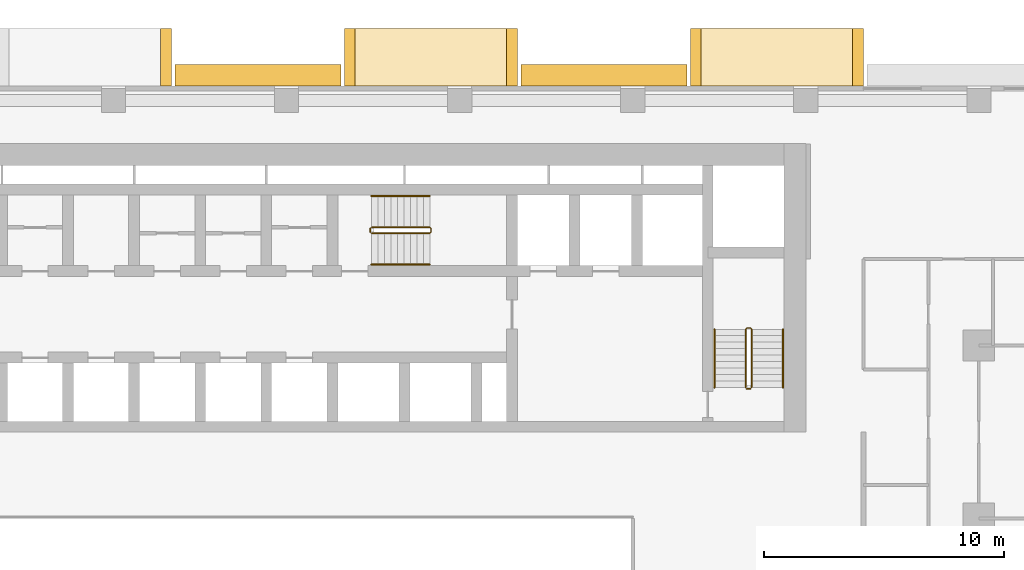
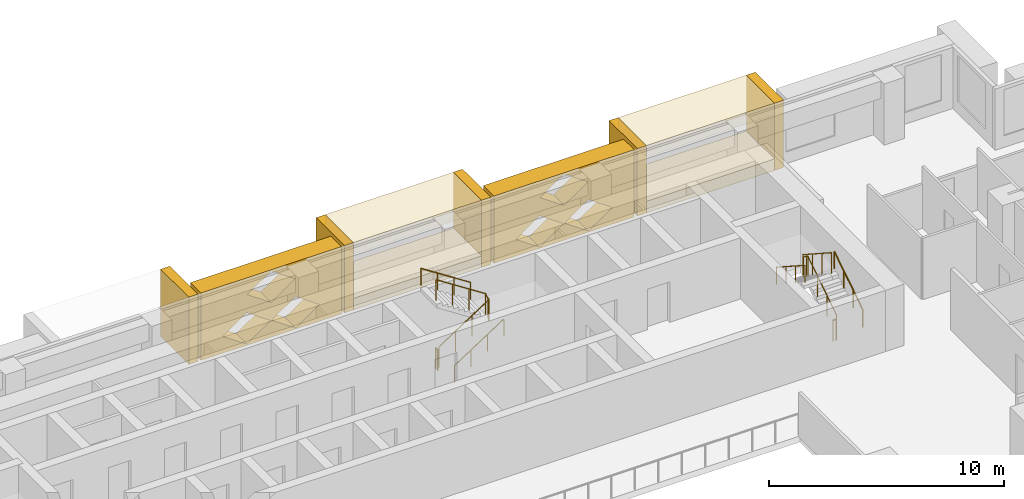
# One storey, part 16 of 17: 11 coverings, 8 railings.
"""IFC4 building model written with IfcOpenShell, lengths in metres."""

from ifc_helpers import new_model, si_unit, direction, frame, origin, origin_2d, place, context, subcontext, project, spatial, polyline, circle, outline, extrude, material, type_object, element, save


model = new_model("IFC4")

# Units and contexts
model_context = context("Model", 3, precision=1e-05, world=origin(), true_north=direction((0.0, 1.0)))
body_context = subcontext(model_context, "Body", "Model", "MODEL_VIEW")
ifc_project = project(units=[si_unit("LENGTHUNIT", "METRE"), si_unit("AREAUNIT", "SQUARE_METRE"), si_unit("VOLUMEUNIT", "CUBIC_METRE"), si_unit("PLANEANGLEUNIT", "RADIAN"), si_unit("MASSUNIT", "GRAM", prefix="KILO")], contexts=[model_context])

# Site, building, storey
site_placement = place(None, origin())
site = spatial("IfcSite", under=ifc_project, at=site_placement, CompositionType="ELEMENT")
building_placement = place(site_placement, origin())
building = spatial("IfcBuilding", under=site, at=building_placement, Name="Saffron Iwan Residences", CompositionType="ELEMENT")
storey_placement = place(building_placement, frame((0.0, 0.0, 86.5)))
storey = spatial("IfcBuildingStorey", under=building, at=storey_placement, Name="L22", CompositionType="ELEMENT", Elevation=86.5)

# Coverings
ifc_material_1 = material(Name="Precast concrete C40/50", Category="concrete")
covering_type_1 = type_object("IfcCoveringType", Name="OUTER SKIN LATTICE SCREEN", PredefinedType="CLADDING", material=ifc_material_1)
for number, where, z_axis, x_axis, name in (
    (1, (67.050048828125, 80.39990234375, -0.320068359375), (0.0, 1.0, 0.0), (-1.0, 0.0, 0.0), "OUTER SKIN lattice screen L22 F5.1"),
    (2, (52.64990234375, 80.39990234375, -0.320068359375), (0.0, 1.0, 0.0), (-1.0, 0.0, 0.0), "OUTER SKIN lattice screen L22 F5.2"),
):
    element("IfcCovering", number, at=place(storey_placement, frame(where, z_axis=z_axis, x_axis=x_axis)), inside=storey, type_object=covering_type_1, Name=name, PredefinedType="CLADDING", context=body_context, shape_type="SweptSolid", body=[
        extrude(outline(polyline([(0.0, 0.0), (6.89990234375, 0.0), (6.89990234375, 3.5), (0.0, 3.5), (0.0, 0.0)]), holes=[polyline([(1.070068359375, 0.875), (2.25, 0.06005859375), (3.429931640625, 0.875), (2.25, 1.68994140625), (1.070068359375, 0.875)]), polyline([(3.469970703125, 0.875), (4.64990234375, 0.06005859375), (5.830078125, 0.875), (4.64990234375, 1.68994140625), (3.469970703125, 0.875)]), polyline([(2.27001953125, 2.625), (3.449951171875, 1.81005859375), (4.6298828125, 2.625), (3.449951171875, 3.43994140625), (2.27001953125, 2.625)])]), origin(), (0.0, 0.0, 1.0), 0.900146484375),
    ])

# Railings
ifc_material_2 = material(Name="Steel S355", Category="steel")
railing_type_1 = type_object("IfcRailingType", Name="Stair guard 1100", PredefinedType="GUARDRAIL", material=ifc_material_2)
railing_1_placement = place(storey_placement, frame((53.925048828125, 74.27490234375, 0.175048828125)))
element("IfcRailing", 3, at=railing_1_placement, inside=storey, type_object=railing_type_1, Name="L22 ST-C stair guard 1", PredefinedType="GUARDRAIL", context=body_context, shape_type="SweptSolid", body=[
    extrude(circle(Radius=0.02392578125, at=origin_2d()), frame((0.0, 0.0, 1.076171875), z_axis=(0.839153699163, 0.0, 0.543894354798), x_axis=(0.0, 1.0, 0.0)), (0.0, 0.0, 1.0), 2.895751953125),
    extrude(circle(Radius=0.02392578125, at=origin_2d()), frame((2.429931640625, 0.0, 2.65087890625), z_axis=(0.707106781187, 0.707106781187, 0.0), x_axis=(-0.707106781187, 0.707106781187, 0.0)), (0.0, 0.0, 1.0), 0.07080078125),
    extrude(circle(Radius=0.02392578125, at=origin_2d()), frame((2.47998046875, 0.050048828125, 2.65087890625), z_axis=(0.0, 1.0, 0.0), x_axis=(-1.0, 0.0, 0.0)), (0.0, 0.0, 1.0), 0.150146484375),
    extrude(circle(Radius=0.02392578125, at=origin_2d()), frame((2.47998046875, 0.2001953125, 2.65087890625), z_axis=(-0.265155923931, 0.263862480399, 0.927399011991), x_axis=(-0.705375805398, -0.708833529934, 0.0)), (0.0, 0.0, 1.0), 0.188720703125),
    extrude(circle(Radius=0.02392578125, at=origin_2d()), frame((2.429931640625, 0.25, 2.826171875), z_axis=(-0.839153699163, 0.0, 0.543894354798), x_axis=(0.0, -1.0, 0.0)), (0.0, 0.0, 1.0), 2.895751953125),
    extrude(circle(Radius=0.02099609375, at=origin_2d()), origin(), (0.0, 0.0, 1.0), 1.052001953125),
    extrude(circle(Radius=0.02099609375, at=origin_2d()), frame((0.81005859375, 0.0, 0.52490234375)), (0.0, 0.0, 1.0), 1.052001953125),
    extrude(circle(Radius=0.02099609375, at=origin_2d()), frame((1.619873046875, 0.0, 1.050048828125)), (0.0, 0.0, 1.0), 1.052001953125),
    extrude(circle(Radius=0.02099609375, at=origin_2d()), frame((2.429931640625, 0.0, 1.574951171875)), (0.0, 0.0, 1.0), 1.052001953125),
    extrude(circle(Radius=0.02099609375, at=origin_2d()), frame((2.47998046875, 0.050048828125, 1.574951171875)), (0.0, 0.0, 1.0), 1.052001953125),
    extrude(circle(Radius=0.02099609375, at=origin_2d()), frame((2.47998046875, 0.2001953125, 1.574951171875)), (0.0, 0.0, 1.0), 1.052001953125),
    extrude(circle(Radius=0.02099609375, at=origin_2d()), frame((2.429931640625, 0.25, 1.75)), (0.0, 0.0, 1.0), 1.052001953125),
    extrude(circle(Radius=0.02099609375, at=origin_2d()), frame((1.619873046875, 0.25, 2.27490234375)), (0.0, 0.0, 1.0), 1.052001953125),
    extrude(circle(Radius=0.02099609375, at=origin_2d()), frame((0.81005859375, 0.25, 2.800048828125)), (0.0, 0.0, 1.0), 1.052001953125),
    extrude(circle(Radius=0.02099609375, at=origin_2d()), frame((0.0, 0.25, 3.324951171875)), (0.0, 0.0, 1.0), 1.052001953125),
])
railing_2_placement = place(storey_placement, frame((53.875, 74.324951171875, 0.0)))
element("IfcRailing", 4, at=railing_2_placement, inside=storey, type_object=railing_type_1, Name="L22 ST-C stair guard 2", PredefinedType="GUARDRAIL", context=body_context, shape_type="SweptSolid", body=[
    extrude(circle(Radius=0.02392578125, at=origin_2d()), frame((0.0, 0.0, 1.076171875), z_axis=(0.0, 1.0, 0.0), x_axis=(-1.0, 0.0, 0.0)), (0.0, 0.0, 1.0), 0.150146484375),
    extrude(circle(Radius=0.02099609375, at=origin_2d()), origin(), (0.0, 0.0, 1.0), 1.052001953125),
    extrude(circle(Radius=0.02099609375, at=origin_2d()), frame((0.0, 0.150146484375, 0.0)), (0.0, 0.0, 1.0), 1.052001953125),
])
railing_3_placement = place(storey_placement, frame((69.75, 67.85009765625, 0.175048828125)))
element("IfcRailing", 5, at=railing_3_placement, inside=storey, type_object=railing_type_1, Name="L22 ST-E stair guard 1", PredefinedType="GUARDRAIL", context=body_context, shape_type="SweptSolid", body=[
    extrude(circle(Radius=0.02392578125, at=origin_2d()), frame((0.0, 0.0, 1.076171875), z_axis=(0.0, 0.839153699163, 0.543894354798), x_axis=(-1.0, 0.0, 0.0)), (0.0, 0.0, 1.0), 2.895751953125),
    extrude(circle(Radius=0.02392578125, at=origin_2d()), frame((0.0, 2.429931640625, 2.65087890625), z_axis=(-0.707106781187, 0.707106781187, 0.0), x_axis=(-0.707106781187, -0.707106781187, 0.0)), (0.0, 0.0, 1.0), 0.07080078125),
    extrude(circle(Radius=0.02392578125, at=origin_2d()), frame((-0.050048828125, 2.47998046875, 2.65087890625), z_axis=(-1.0, 0.0, 0.0), x_axis=(0.0, -1.0, 0.0)), (0.0, 0.0, 1.0), 0.14990234375),
    extrude(circle(Radius=0.02392578125, at=origin_2d()), frame((-0.199951171875, 2.47998046875, 2.65087890625), z_axis=(-0.265065253269, -0.265065253269, 0.927081885822), x_axis=(0.707106781187, -0.707106781187, 0.0)), (0.0, 0.0, 1.0), 0.188720703125),
    extrude(circle(Radius=0.02392578125, at=origin_2d()), frame((-0.25, 2.429931640625, 2.826171875), z_axis=(0.0, -0.839153699163, 0.543894354798), x_axis=(1.0, 0.0, 0.0)), (0.0, 0.0, 1.0), 2.895751953125),
    extrude(circle(Radius=0.02099609375, at=origin_2d()), origin(), (0.0, 0.0, 1.0), 1.052001953125),
    extrude(circle(Radius=0.02099609375, at=origin_2d()), frame((0.0, 0.81005859375, 0.52490234375)), (0.0, 0.0, 1.0), 1.052001953125),
    extrude(circle(Radius=0.02099609375, at=origin_2d()), frame((0.0, 1.619873046875, 1.050048828125)), (0.0, 0.0, 1.0), 1.052001953125),
    extrude(circle(Radius=0.02099609375, at=origin_2d()), frame((0.0, 2.429931640625, 1.574951171875)), (0.0, 0.0, 1.0), 1.052001953125),
    extrude(circle(Radius=0.02099609375, at=origin_2d()), frame((-0.050048828125, 2.47998046875, 1.574951171875)), (0.0, 0.0, 1.0), 1.052001953125),
    extrude(circle(Radius=0.02099609375, at=origin_2d()), frame((-0.199951171875, 2.47998046875, 1.574951171875)), (0.0, 0.0, 1.0), 1.052001953125),
    extrude(circle(Radius=0.02099609375, at=origin_2d()), frame((-0.25, 2.429931640625, 1.75)), (0.0, 0.0, 1.0), 1.052001953125),
    extrude(circle(Radius=0.02099609375, at=origin_2d()), frame((-0.25, 1.619873046875, 2.27490234375)), (0.0, 0.0, 1.0), 1.052001953125),
    extrude(circle(Radius=0.02099609375, at=origin_2d()), frame((-0.25, 0.81005859375, 2.800048828125)), (0.0, 0.0, 1.0), 1.052001953125),
    extrude(circle(Radius=0.02099609375, at=origin_2d()), frame((-0.25, 0.0, 3.324951171875)), (0.0, 0.0, 1.0), 1.052001953125),
])
railing_4_placement = place(storey_placement, frame((69.699951171875, 67.800048828125, 0.0)))
element("IfcRailing", 6, at=railing_4_placement, inside=storey, type_object=railing_type_1, Name="L22 ST-E stair guard 2", PredefinedType="GUARDRAIL", context=body_context, shape_type="SweptSolid", body=[
    extrude(circle(Radius=0.02392578125, at=origin_2d()), frame((0.0, 0.0, 1.076171875), z_axis=(-1.0, 0.0, 0.0), x_axis=(0.0, -1.0, 0.0)), (0.0, 0.0, 1.0), 0.14990234375),
    extrude(circle(Radius=0.02099609375, at=origin_2d()), origin(), (0.0, 0.0, 1.0), 1.052001953125),
    extrude(circle(Radius=0.02099609375, at=origin_2d()), frame((-0.14990234375, 0.0, 0.0)), (0.0, 0.0, 1.0), 1.052001953125),
])
ifc_material_3 = material(Name="Stainless steel 316", Category="steel")
railing_type_2 = type_object("IfcRailingType", Name="Stair handrail 900", PredefinedType="HANDRAIL", material=ifc_material_3)
railing_5_placement = place(storey_placement, frame((53.925048828125, 72.97509765625, 0.175048828125)))
element("IfcRailing", 7, at=railing_5_placement, inside=storey, type_object=railing_type_2, Name="L22 ST-C stair handrail 1", PredefinedType="HANDRAIL", context=body_context, shape_type="SweptSolid", body=[
    extrude(circle(Radius=0.02392578125, at=origin_2d()), frame((0.0, 0.0, 0.8759765625), z_axis=(0.839153699163, 0.0, 0.543894354798), x_axis=(0.0, 1.0, 0.0)), (0.0, 0.0, 1.0), 2.895751953125),
    extrude(circle(Radius=0.02099609375, at=origin_2d()), origin(), (0.0, 0.0, 1.0), 0.851806640625),
    extrude(circle(Radius=0.02099609375, at=origin_2d()), frame((0.81005859375, 0.0, 0.52490234375)), (0.0, 0.0, 1.0), 0.851806640625),
    extrude(circle(Radius=0.02099609375, at=origin_2d()), frame((1.619873046875, 0.0, 1.050048828125)), (0.0, 0.0, 1.0), 0.851806640625),
    extrude(circle(Radius=0.02099609375, at=origin_2d()), frame((2.429931640625, 0.0, 1.574951171875)), (0.0, 0.0, 1.0), 0.851806640625),
])
railing_6_placement = place(storey_placement, frame((56.35498046875, 75.824951171875, 1.925048828125)))
element("IfcRailing", 8, at=railing_6_placement, inside=storey, type_object=railing_type_2, Name="L22 ST-C stair handrail 2", PredefinedType="HANDRAIL", context=body_context, shape_type="SweptSolid", body=[
    extrude(circle(Radius=0.02392578125, at=origin_2d()), frame((0.0, 0.0, 0.8759765625), z_axis=(-0.839153699163, 0.0, 0.543894354798), x_axis=(0.0, -1.0, 0.0)), (0.0, 0.0, 1.0), 2.895751953125),
    extrude(circle(Radius=0.02099609375, at=origin_2d()), origin(), (0.0, 0.0, 1.0), 0.851806640625),
    extrude(circle(Radius=0.02099609375, at=origin_2d()), frame((-0.81005859375, 0.0, 0.52490234375)), (0.0, 0.0, 1.0), 0.851806640625),
    extrude(circle(Radius=0.02099609375, at=origin_2d()), frame((-1.619873046875, 0.0, 1.050048828125)), (0.0, 0.0, 1.0), 0.851806640625),
    extrude(circle(Radius=0.02099609375, at=origin_2d()), frame((-2.429931640625, 0.0, 1.574951171875)), (0.0, 0.0, 1.0), 0.851806640625),
])
railing_7_placement = place(storey_placement, frame((71.050048828125, 67.85009765625, 0.175048828125)))
element("IfcRailing", 9, at=railing_7_placement, inside=storey, type_object=railing_type_2, Name="L22 ST-E stair handrail 1", PredefinedType="HANDRAIL", context=body_context, shape_type="SweptSolid", body=[
    extrude(circle(Radius=0.02392578125, at=origin_2d()), frame((0.0, 0.0, 0.8759765625), z_axis=(0.0, 0.839153699163, 0.543894354798), x_axis=(-1.0, 0.0, 0.0)), (0.0, 0.0, 1.0), 2.895751953125),
    extrude(circle(Radius=0.02099609375, at=origin_2d()), origin(), (0.0, 0.0, 1.0), 0.851806640625),
    extrude(circle(Radius=0.02099609375, at=origin_2d()), frame((0.0, 0.81005859375, 0.52490234375)), (0.0, 0.0, 1.0), 0.851806640625),
    extrude(circle(Radius=0.02099609375, at=origin_2d()), frame((0.0, 1.619873046875, 1.050048828125)), (0.0, 0.0, 1.0), 0.851806640625),
    extrude(circle(Radius=0.02099609375, at=origin_2d()), frame((0.0, 2.429931640625, 1.574951171875)), (0.0, 0.0, 1.0), 0.851806640625),
])
railing_8_placement = place(storey_placement, frame((68.199951171875, 70.280029296875, 1.925048828125)))
element("IfcRailing", 10, at=railing_8_placement, inside=storey, type_object=railing_type_2, Name="L22 ST-E stair handrail 2", PredefinedType="HANDRAIL", context=body_context, shape_type="SweptSolid", body=[
    extrude(circle(Radius=0.02392578125, at=origin_2d()), frame((0.0, 0.0, 0.8759765625), z_axis=(0.0, -0.839153699163, 0.543894354798), x_axis=(1.0, 0.0, 0.0)), (0.0, 0.0, 1.0), 2.895751953125),
    extrude(circle(Radius=0.02099609375, at=origin_2d()), origin(), (0.0, 0.0, 1.0), 0.851806640625),
    extrude(circle(Radius=0.02099609375, at=origin_2d()), frame((0.0, -0.81005859375, 0.52490234375)), (0.0, 0.0, 1.0), 0.851806640625),
    extrude(circle(Radius=0.02099609375, at=origin_2d()), frame((0.0, -1.619873046875, 1.050048828125)), (0.0, 0.0, 1.0), 0.851806640625),
    extrude(circle(Radius=0.02099609375, at=origin_2d()), frame((0.0, -2.429931640625, 1.574951171875)), (0.0, 0.0, 1.0), 0.851806640625),
])

# Coverings
ifc_material_4 = material(Name="Precast concrete C40/50 white painted", Category="concrete")
covering_type_2 = type_object("IfcCoveringType", Name="WHITE SUN FRAME PRECAST", PredefinedType="CLADDING", material=ifc_material_4)
for number, where, z_axis, x_axis, name in (
    (11, (74.39990234375, 80.39990234375, -0.320068359375), (0.0, 1.0, 0.0), (-1.0, 0.0, 0.0), "Sun frame L22 F5 8.4a"),
    (12, (67.64990234375, 80.39990234375, -0.320068359375), (0.0, 1.0, 0.0), (-1.0, 0.0, 0.0), "Sun frame L22 F5 8.4b"),
):
    element("IfcCovering", number, at=place(storey_placement, frame(where, z_axis=z_axis, x_axis=x_axis)), inside=storey, type_object=covering_type_2, Name=name, PredefinedType="CLADDING", context=body_context, shape_type="SweptSolid", body=[
        extrude(outline(polyline([(0.0, 0.0), (0.449951171875, 0.0), (0.449951171875, 3.5), (0.0, 3.5), (0.0, 0.0)])), origin(), (0.0, 0.0, 1.0), 2.400146484375),
    ])
for number, where, z_axis, x_axis, name in (
    (13, (73.949951171875, 80.39990234375, 2.580078125), (0.0, 1.0, 0.0), (-1.0, 0.0, 0.0), "Sun frame L22 F5 8.4h"),
    (14, (73.949951171875, 80.39990234375, -0.320068359375), (0.0, 1.0, 0.0), (-1.0, 0.0, 0.0), "Sun frame L22 F5 8.4s"),
):
    element("IfcCovering", number, at=place(storey_placement, frame(where, z_axis=z_axis, x_axis=x_axis)), inside=storey, type_object=covering_type_2, Name=name, PredefinedType="CLADDING", context=body_context, shape_type="SweptSolid", body=[
        extrude(outline(polyline([(0.0, 0.0), (6.300048828125, 0.0), (6.300048828125, 0.60009765625), (0.0, 0.60009765625), (0.0, 0.0)])), origin(), (0.0, 0.0, 1.0), 2.400146484375),
    ])
for number, where, z_axis, x_axis, name in (
    (15, (60.0, 80.39990234375, -0.320068359375), (0.0, 1.0, 0.0), (-1.0, 0.0, 0.0), "Sun frame L22 F5 22.8a"),
    (16, (53.25, 80.39990234375, -0.320068359375), (0.0, 1.0, 0.0), (-1.0, 0.0, 0.0), "Sun frame L22 F5 22.8b"),
):
    element("IfcCovering", number, at=place(storey_placement, frame(where, z_axis=z_axis, x_axis=x_axis)), inside=storey, type_object=covering_type_2, Name=name, PredefinedType="CLADDING", context=body_context, shape_type="SweptSolid", body=[
        extrude(outline(polyline([(0.0, 0.0), (0.449951171875, 0.0), (0.449951171875, 3.5), (0.0, 3.5), (0.0, 0.0)])), origin(), (0.0, 0.0, 1.0), 2.400146484375),
    ])
for number, where, z_axis, x_axis, name in (
    (17, (59.550048828125, 80.39990234375, 2.580078125), (0.0, 1.0, 0.0), (-1.0, 0.0, 0.0), "Sun frame L22 F5 22.8h"),
    (18, (59.550048828125, 80.39990234375, -0.320068359375), (0.0, 1.0, 0.0), (-1.0, 0.0, 0.0), "Sun frame L22 F5 22.8s"),
):
    element("IfcCovering", number, at=place(storey_placement, frame(where, z_axis=z_axis, x_axis=x_axis)), inside=storey, type_object=covering_type_2, Name=name, PredefinedType="CLADDING", context=body_context, shape_type="SweptSolid", body=[
        extrude(outline(polyline([(0.0, 0.0), (6.300048828125, 0.0), (6.300048828125, 0.60009765625), (0.0, 0.60009765625), (0.0, 0.0)])), origin(), (0.0, 0.0, 1.0), 2.400146484375),
    ])
covering_placement = place(storey_placement, frame((45.60009765625, 80.39990234375, -0.320068359375), z_axis=(0.0, 1.0, 0.0), x_axis=(-1.0, 0.0, 0.0)))
element("IfcCovering", 19, at=covering_placement, inside=storey, type_object=covering_type_2, Name="Sun frame L22 F5 37.2a", PredefinedType="CLADDING", context=body_context, shape_type="SweptSolid", body=[
    extrude(outline(polyline([(0.0, 0.0), (0.449951171875, 0.0), (0.449951171875, 3.5), (0.0, 3.5), (0.0, 0.0)])), origin(), (0.0, 0.0, 1.0), 2.400146484375),
])

save(model, "model.ifc")
